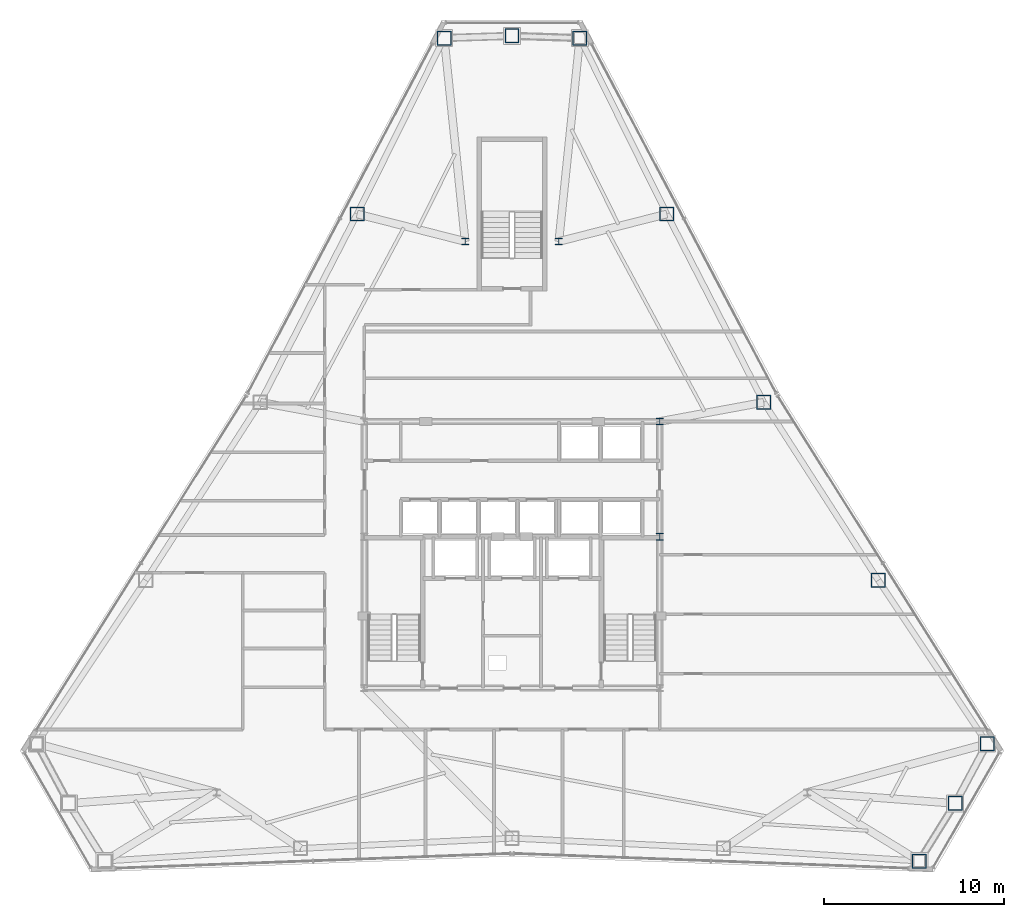
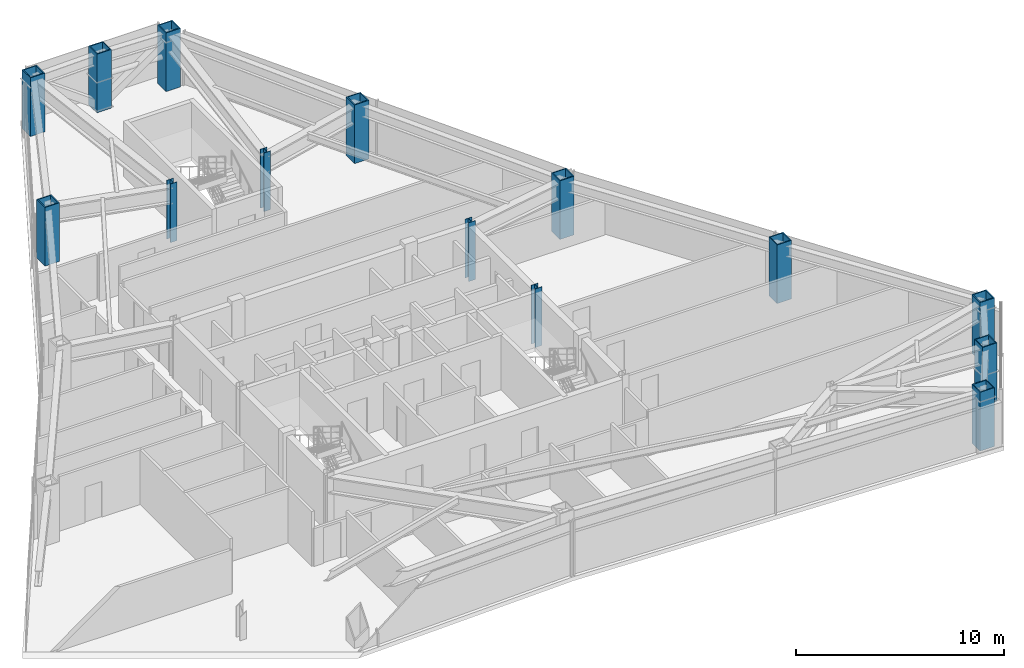
# One storey, part 2 of 13: 14 columns.
"""IFC4 building model written with IfcOpenShell, lengths in metres."""

import ifcopenshell
import ifcopenshell.guid

model = None  # the IFC model being written
_history = None  # IfcOwnerHistory: only IFC2X3 demands one
_inside = {}  # id of a spatial element -> (the spatial element, [elements in it])
_under = {}  # id of a project, library or spatial element -> (it, [spatial elements below it])
_declared = {}  # id of a project -> (the project, [libraries it declares])
_typed = {}  # id of a type object -> (the type object, [elements of that type])
_made_of = {}  # id of a material, layer set ... -> (it, [elements and type objects made of it])


def new_model(schema):
    """Start an empty IFC model of exactly this schema.

    Asked for "IFC4X3", IfcOpenShell would pick the latest addendum, in which some entities
    have other attributes; the version numbers below select the first issue.
    IFC2X3 requires an IfcOwnerHistory on every rooted entity: one is made here for all.
    """
    global model, _history
    if schema == "IFC4X3":
        model = ifcopenshell.file(schema_version=(4, 3, 0, 0))
    else:
        model = ifcopenshell.file(schema=schema)
    _inside.clear()
    _under.clear()
    _declared.clear()
    _typed.clear()
    _made_of.clear()
    _history = None
    if model.schema == "IFC2X3":
        org = make("IfcOrganization", Name="unknown")
        user = make(
            "IfcPersonAndOrganization",
            ThePerson=make("IfcPerson", FamilyName="unknown"),
            TheOrganization=org,
        )
        app = make(
            "IfcApplication",
            ApplicationDeveloper=org,
            Version="unknown",
            ApplicationFullName="unknown",
            ApplicationIdentifier="unknown",
        )
        _history = make(
            "IfcOwnerHistory",
            OwningUser=user,
            OwningApplication=app,
            ChangeAction="ADDED",
            CreationDate=0,
        )
    return model


def make(cls, **values):
    """One entity of the class cls with the attributes given. An attribute that is None is left unset."""
    return model.create_entity(
        cls, **{name: value for name, value in values.items() if value is not None}
    )


def rooted(cls, **values):
    """An entity with a GlobalId (a new one), such as an element, a storey or a relation."""
    return make(cls, GlobalId=ifcopenshell.guid.new(), OwnerHistory=_history, **values)


def si_unit(unit_type, name, prefix=None):
    """IfcSIUnit, for example si_unit("LENGTHUNIT", "METRE", prefix="MILLI")."""
    return make("IfcSIUnit", UnitType=unit_type, Prefix=prefix, Name=name)


def assignment(units):
    """IfcUnitAssignment: the units of a project."""
    return None if units is None else make("IfcUnitAssignment", Units=units)


def point(xyz):
    """IfcCartesianPoint."""
    return None if xyz is None else make("IfcCartesianPoint", Coordinates=xyz)


def direction(xyz):
    """IfcDirection."""
    return None if xyz is None else make("IfcDirection", DirectionRatios=xyz)


def frame(location, z_axis=None, x_axis=None):
    """IfcAxis2Placement3D, a coordinate frame: its origin and axes. An axis left out is left unset."""
    return make(
        "IfcAxis2Placement3D",
        Location=point(location),
        Axis=direction(z_axis),
        RefDirection=direction(x_axis),
    )


def frame_2d(location, x_axis=None):
    """IfcAxis2Placement2D, a coordinate frame in the plane: its origin and x axis."""
    return make(
        "IfcAxis2Placement2D", Location=point(location), RefDirection=direction(x_axis)
    )


def origin():
    """The frame at (0, 0, 0) with its axes left unset."""
    return frame((0.0, 0.0, 0.0))


def origin_2d():
    """The frame at (0, 0) in the plane with its x axis left unset."""
    return frame_2d((0.0, 0.0))


def place(relative_to, where):
    """IfcLocalPlacement: puts the frame where relative to a parent placement (None: the world)."""
    return make(
        "IfcLocalPlacement", PlacementRelTo=relative_to, RelativePlacement=where
    )


def context(
    kind, dimensions, precision=None, world=None, true_north=None, identifier=None
):
    """IfcGeometricRepresentationContext, for example the 3D "Model" context."""
    return make(
        "IfcGeometricRepresentationContext",
        ContextIdentifier=identifier,
        ContextType=kind,
        CoordinateSpaceDimension=dimensions,
        Precision=precision,
        WorldCoordinateSystem=world,
        TrueNorth=true_north,
    )


def subcontext(parent, identifier, kind, view, scale=None):
    """IfcGeometricRepresentationSubContext, for example "Body" below "Model"."""
    return make(
        "IfcGeometricRepresentationSubContext",
        ContextIdentifier=identifier,
        ContextType=kind,
        ParentContext=parent,
        TargetScale=scale,
        TargetView=view,
    )


def project(units=None, contexts=None):
    """IfcProject with its units and contexts."""
    return rooted(
        "IfcProject",
        Name="project",
        RepresentationContexts=contexts,
        UnitsInContext=assignment(units),
    )


def spatial(cls, under=None, at=None, **own):
    """A site, building, storey or space (cls), placed at a placement, below another one or the project."""
    s = rooted(cls, ObjectPlacement=at, **own)
    if under is not None:
        _under.setdefault(under.id(), (under, []))[1].append(s)
    return s


def profile(cls, at=None, kind="AREA", **sizes):
    """A parametric profile (cls). Its sizes go by their IFC names, for example OverallWidth=200.0."""
    return make(cls, ProfileType=kind, Position=at, **sizes)


def hollow_rectangle(**sizes):
    """IfcRectangleHollowProfileDef."""
    return profile("IfcRectangleHollowProfileDef", **sizes)


def i_section(**sizes):
    """IfcIShapeProfileDef."""
    return profile("IfcIShapeProfileDef", **sizes)


def extrude(swept, where, along, depth):
    """IfcExtrudedAreaSolid: the profile swept, set in the frame where, extruded along a direction by depth."""
    return make(
        "IfcExtrudedAreaSolid",
        SweptArea=swept,
        Position=where,
        ExtrudedDirection=direction(along),
        Depth=depth,
    )


def shape(context_of_items, identifier, shape_type, items):
    """IfcShapeRepresentation: the items that make up one representation, for example the "Body"."""
    return make(
        "IfcShapeRepresentation",
        ContextOfItems=context_of_items,
        RepresentationIdentifier=identifier,
        RepresentationType=shape_type,
        Items=items,
    )


def material(Name=None, Category=None):
    """IfcMaterial."""
    return make("IfcMaterial", Name=Name, Category=Category)


def material_profile(
    of_material, cross_section, Name=None, Category=None, Priority=None
):
    """IfcMaterialProfile: a cross section and its material."""
    return make(
        "IfcMaterialProfile",
        Name=Name,
        Material=of_material,
        Profile=cross_section,
        Priority=Priority,
        Category=Category,
    )


def profile_set(profiles, Name=None, composite=None):
    """IfcMaterialProfileSet."""
    return make(
        "IfcMaterialProfileSet",
        Name=Name,
        MaterialProfiles=profiles,
        CompositeProfile=composite,
    )


def made_of(thing, what):
    """Note that an element or type object is made of a material, layer set ...; save() writes the relation."""
    if what is not None:
        _made_of.setdefault(what.id(), (what, []))[1].append(thing)
    return thing


def type_object(cls, material=None, **own):
    """A type object (cls), such as IfcWallType, which elements share."""
    return made_of(rooted(cls, **own), material)


def element(
    cls,
    number,
    at=None,
    inside=None,
    cuts=None,
    type_object=None,
    material=None,
    context=None,
    identifier="Body",
    shape_type=None,
    held_by="IfcProductDefinitionShape",
    body=None,
    shapes=None,
    **own,
):
    """One element of the class cls, such as IfcWall. Its Tag is "e" and its number.

    at: its placement. inside: the storey or other place that contains it. cuts: it is an
    opening in that element (IfcRelVoidsElement). A single representation is given by context,
    identifier, shape_type and body (its items); several are given by shapes. held_by: the class
    of the entity that holds the representations. save() writes the other relations.
    """
    e = rooted(cls, Tag="e%d" % number, ObjectPlacement=at, **own)
    if body is not None:
        shapes = [shape(context, identifier, shape_type, body)]
    if shapes is not None:
        e.Representation = make(held_by, Representations=shapes)
    if inside is not None:
        _inside.setdefault(inside.id(), (inside, []))[1].append(e)
    if cuts is not None:
        rooted(
            "IfcRelVoidsElement", RelatingBuildingElement=cuts, RelatedOpeningElement=e
        )
    if type_object is not None:
        _typed.setdefault(type_object.id(), (type_object, []))[1].append(e)
    return made_of(e, material)


def aggregate(whole, parts):
    """IfcRelAggregates: a whole, such as a stair, and the parts it consists of."""
    return rooted("IfcRelAggregates", RelatingObject=whole, RelatedObjects=parts)


def save(model, path):
    """Write the relations noted so far, then the file.

    IfcRelAggregates (storeys below a building ...), IfcRelContainedInSpatialStructure (elements
    in a storey), IfcRelDefinesByType, IfcRelAssociatesMaterial and IfcRelDeclares: one each for
    every whole, place, type object, material and project.
    """
    for whole, parts in _under.values():
        aggregate(whole, parts)
    for where, things in _inside.values():
        rooted(
            "IfcRelContainedInSpatialStructure",
            RelatedElements=things,
            RelatingStructure=where,
        )
    for kind, things in _typed.values():
        rooted("IfcRelDefinesByType", RelatedObjects=things, RelatingType=kind)
    for what, things in _made_of.values():
        rooted("IfcRelAssociatesMaterial", RelatedObjects=things, RelatingMaterial=what)
    for by, libraries in _declared.values():
        rooted("IfcRelDeclares", RelatingContext=by, RelatedDefinitions=libraries)
    model.write(path)


model = new_model("IFC4")

# Units and contexts
model_context = context("Model", 3, precision=1e-05, world=origin(), true_north=direction((0.0, 1.0)))
body_context = subcontext(model_context, "Body", "Model", "MODEL_VIEW")
ifc_project = project(units=[si_unit("LENGTHUNIT", "METRE"), si_unit("AREAUNIT", "SQUARE_METRE"), si_unit("VOLUMEUNIT", "CUBIC_METRE"), si_unit("PLANEANGLEUNIT", "RADIAN"), si_unit("MASSUNIT", "GRAM", prefix="KILO")], contexts=[model_context])

# Site, building, storey
site_placement = place(None, origin())
site = spatial("IfcSite", under=ifc_project, at=site_placement, CompositionType="ELEMENT")
building_placement = place(site_placement, origin())
building = spatial("IfcBuilding", under=site, at=building_placement, Name="Varakhsha Concourse Tower", CompositionType="ELEMENT")
storey_placement = place(building_placement, frame((0.0, 0.0, 179.25)))
storey = spatial("IfcBuildingStorey", under=building, at=storey_placement, Name="L51", CompositionType="ELEMENT", Elevation=179.25)

# Columns
ifc_material_1 = material(Name="Structural Steel ASTM A992 Grade 50", Category="steel")
ifc_material_profile_1 = material_profile(ifc_material_1, i_section(OverallWidth=0.3740234375, OverallDepth=0.3720703125, WebThickness=0.01611328125, FlangeThickness=0.02587890625, at=origin_2d()), Name="W14X132")
ifc_profile_set_1 = profile_set([ifc_material_profile_1], Name="Structural Steel ASTM A992 Grade 50")
column_type_1 = type_object("IfcColumnType", Name="CL-CORE-W14X132", PredefinedType="COLUMN", material=ifc_profile_set_1)
for number, where, z_axis, x_axis, name in (
    (1, (48.199951171875, 24.800048828125, 0.0), (0.0, 0.0, 1.0), (1.0, 0.0, 0.0), "L51 Core Column CC-ME"),
    (2, (48.199951171875, 31.199951171875, 0.0), (0.0, 0.0, 1.0), (1.0, 0.0, 0.0), "L51 Core Column CC-NE"),
    (3, (37.39990234375, 41.199951171875, 0.0), (0.0, 0.0, 1.0), (1.0, 0.0, 0.0), "L51 Core Column NS-W"),
    (4, (42.60009765625, 41.199951171875, 0.0), (0.0, 0.0, 1.0), (1.0, 0.0, 0.0), "L51 Core Column NS-E"),
):
    element("IfcColumn", number, at=place(storey_placement, frame(where, z_axis=z_axis, x_axis=x_axis)), inside=storey, type_object=column_type_1, Name=name, PredefinedType="COLUMN", context=body_context, shape_type="SweptSolid", body=[
        extrude(i_section(OverallWidth=0.3740234375, OverallDepth=0.3720703125, WebThickness=0.01611328125, FlangeThickness=0.02587890625, at=origin_2d()), origin(), (0.0, 0.0, 1.0), 3.449951171875),
    ])
ifc_material_2 = material(Name="Structural Steel ASTM A572 Grade 50", Category="steel")
ifc_material_profile_2 = material_profile(ifc_material_2, hollow_rectangle(XDim=0.800048828125, YDim=0.800048828125, WallThickness=0.054931640625, at=origin_2d()), Name="BOX 800x800x55")
ifc_profile_set_2 = profile_set([ifc_material_profile_2], Name="Structural Steel ASTM A572 Grade 50")
column_type_2 = type_object("IfcColumnType", Name="CL-TUBE-800", PredefinedType="COLUMN", material=ifc_profile_set_2)
for number, where, z_axis, x_axis, name in (
    (5, (43.7666015625, 52.4951171875, 0.0), (0.0, 0.0, 1.0), (1.0, 0.0, 0.0), "L51 Framed-Tube Column TC01"),
    (6, (40.0, 52.618408203125, 0.0), (0.0, 0.0, 1.0), (1.0, 0.0, 0.0), "L51 Framed-Tube Column TC02"),
    (7, (36.2333984375, 52.4951171875, 0.0), (0.0, 0.0, 1.0), (1.0, 0.0, 0.0), "L51 Framed-Tube Column TC03"),
    (8, (31.401611328125, 42.7255859375, 0.0), (0.0, 0.0, 1.0), (1.0, 0.0, 0.0), "L51 Framed-Tube Column TC04"),
    (9, (62.62109375, 6.79052734375, 0.0), (0.0, 0.0, 1.0), (1.0, 0.0, 0.0), "L51 Framed-Tube Column TC13"),
    (10, (64.611083984375, 9.99072265625, 0.0), (0.0, 0.0, 1.0), (1.0, 0.0, 0.0), "L51 Framed-Tube Column TC14"),
    (11, (66.3876953125, 13.314208984375, 0.0), (0.0, 0.0, 1.0), (1.0, 0.0, 0.0), "L51 Framed-Tube Column TC15"),
    (12, (60.3427734375, 22.383544921875, 0.0), (0.0, 0.0, 1.0), (1.0, 0.0, 0.0), "L51 Framed-Tube Column TC16"),
    (13, (53.976318359375, 32.269287109375, 0.0), (0.0, 0.0, 1.0), (1.0, 0.0, 0.0), "L51 Framed-Tube Column TC17"),
    (14, (48.598388671875, 42.7255859375, 0.0), (0.0, 0.0, 1.0), (1.0, 0.0, 0.0), "L51 Framed-Tube Column TC18"),
):
    element("IfcColumn", number, at=place(storey_placement, frame(where, z_axis=z_axis, x_axis=x_axis)), inside=storey, type_object=column_type_2, Name=name, PredefinedType="COLUMN", context=body_context, shape_type="SweptSolid", body=[
        extrude(hollow_rectangle(XDim=0.800048828125, YDim=0.800048828125, WallThickness=0.054931640625, at=origin_2d()), origin(), (0.0, 0.0, 1.0), 3.449951171875),
    ])

save(model, "model.ifc")
